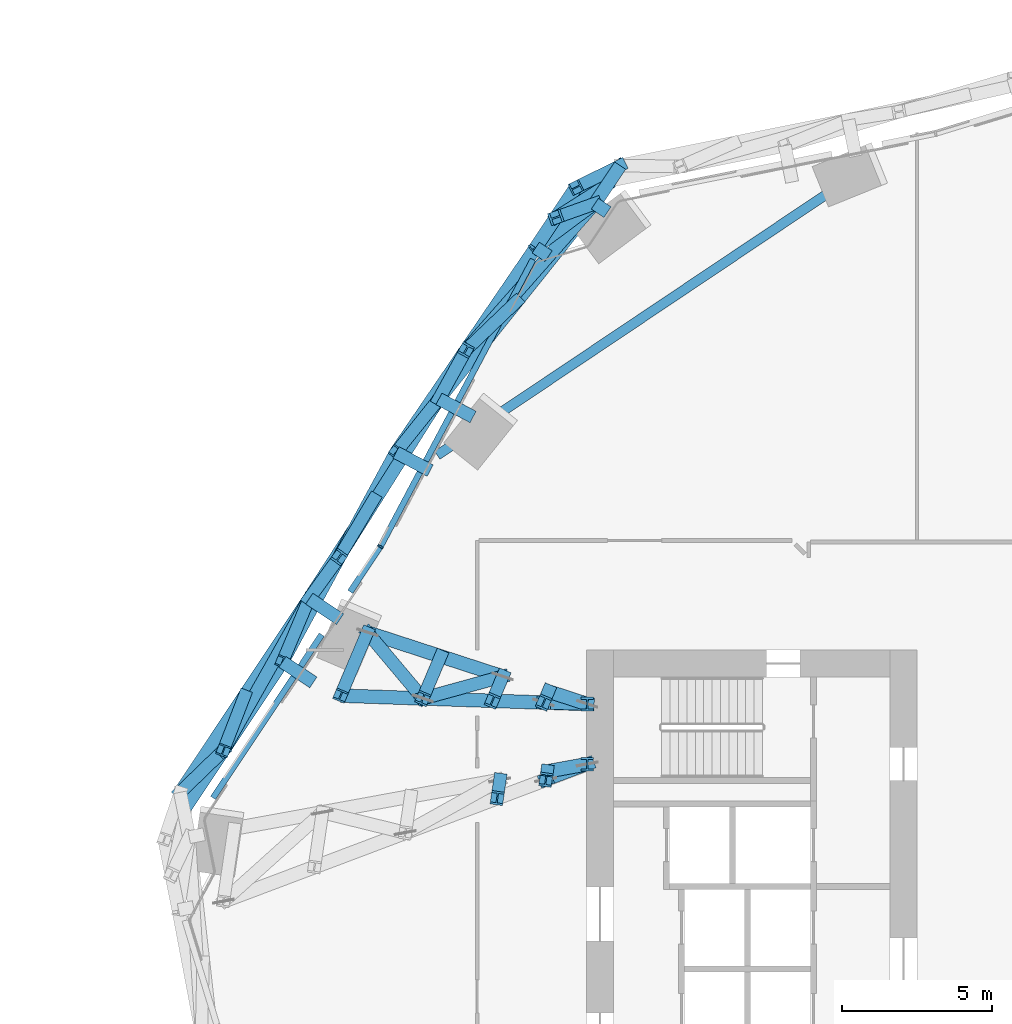
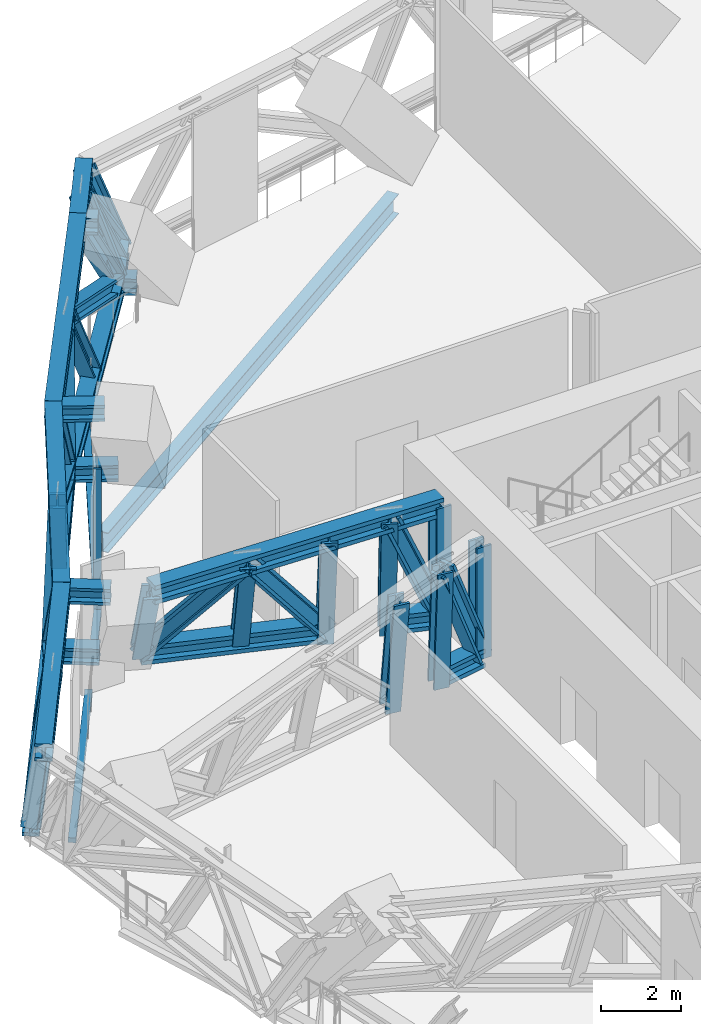
# One storey, part 13 of 34: 50 members, 1 beam, 2 elements without a shape of their own.
"""IFC4 building model written with IfcOpenShell, lengths in metres."""

from ifc_helpers import new_model, si_unit, direction, frame, origin, origin_2d, place, context, subcontext, project, spatial, rectangle, i_section, extrude, material, material_profile, profile_set, type_object, element, aggregate, save


model = new_model("IFC4")

# Units and contexts
model_context = context("Model", 3, precision=1e-05, world=origin(), true_north=direction((0.0, 1.0)))
body_context = subcontext(model_context, "Body", "Model", "MODEL_VIEW")
ifc_project = project(units=[si_unit("LENGTHUNIT", "METRE"), si_unit("AREAUNIT", "SQUARE_METRE"), si_unit("VOLUMEUNIT", "CUBIC_METRE"), si_unit("PLANEANGLEUNIT", "RADIAN"), si_unit("MASSUNIT", "GRAM", prefix="KILO")], contexts=[model_context])

# Site, building, storey
site_placement = place(None, origin())
site = spatial("IfcSite", under=ifc_project, at=site_placement, CompositionType="ELEMENT")
building_placement = place(site_placement, origin())
building = spatial("IfcBuilding", under=site, at=building_placement, Name="Orlundy Tower", CompositionType="ELEMENT")
storey_placement = place(building_placement, frame((0.0, 0.0, 76.300048828125)))
storey = spatial("IfcBuildingStorey", under=building, at=storey_placement, Name="L18", CompositionType="ELEMENT", Elevation=76.300048828125)

# Members
ifc_material_1 = material(Name="Steel ASTM A992 Gr 50", Category="steel")
ifc_material_profile_1 = material_profile(ifc_material_1, i_section(OverallWidth=0.4423828125, OverallDepth=0.531494140625, WebThickness=0.06591796875, FlangeThickness=0.105712890625, at=origin_2d()), Name="W14X605")
ifc_profile_set_1 = profile_set([ifc_material_profile_1], Name="Steel ASTM A992 Gr 50")
member_type_1 = type_object("IfcMemberType", Name="BELT TRUSS chord W14X605", PredefinedType="CHORD", material=ifc_profile_set_1)
member_1_placement = place(storey_placement, frame((-17.884033203125, 28.146484375, 0.28466796875), z_axis=(-0.554367671717, -0.832271881391, 0.0), x_axis=(0.832271881391, -0.554367671717, 0.0)))
element("IfcMember", 1, at=member_1_placement, inside=storey, type_object=member_type_1, Name="Belt truss bottom chord BT-20B", PredefinedType="CHORD", context=body_context, shape_type="SweptSolid", body=[
    extrude(i_section(OverallWidth=0.4423828125, OverallDepth=0.531494140625, WebThickness=0.06591796875, FlangeThickness=0.105712890625, at=origin_2d()), origin(), (0.0, 0.0, 1.0), 1.525146484375),
])
member_2_placement = place(storey_placement, frame((-19.360595703125, 27.41796875, 3.715087890625), z_axis=(-0.554326100972, -0.832299569735, 0.0), x_axis=(0.832299569735, -0.554326100972, 0.0)))
element("IfcMember", 2, at=member_2_placement, inside=storey, type_object=member_type_1, Name="Belt truss top chord BT-20B", PredefinedType="CHORD", context=body_context, shape_type="SweptSolid", body=[
    extrude(i_section(OverallWidth=0.4423828125, OverallDepth=0.531494140625, WebThickness=0.06591796875, FlangeThickness=0.105712890625, at=origin_2d()), origin(), (0.0, 0.0, 1.0), 2.409912109375),
])
member_3_placement = place(storey_placement, frame((-18.7294921875, 26.877197265625, 0.28466796875), z_axis=(-0.623997380433, -0.781426432374, 0.0), x_axis=(0.781426432374, -0.623997380433, 0.0)))
element("IfcMember", 3, at=member_3_placement, inside=storey, type_object=member_type_1, Name="Belt truss bottom chord BT-21A", PredefinedType="CHORD", context=body_context, shape_type="SweptSolid", body=[
    extrude(i_section(OverallWidth=0.4423828125, OverallDepth=0.531494140625, WebThickness=0.06591796875, FlangeThickness=0.105712890625, at=origin_2d()), origin(), (0.0, 0.0, 1.0), 8.32470703125),
])
member_4_placement = place(storey_placement, frame((-20.696533203125, 25.412109375, 3.715087890625), z_axis=(-0.563647579562, -0.826015378824, 0.0), x_axis=(0.826015378824, -0.563647579562, 0.0)))
element("IfcMember", 4, at=member_4_placement, inside=storey, type_object=member_type_1, Name="Belt truss top chord BT-21A", PredefinedType="CHORD", context=body_context, shape_type="SweptSolid", body=[
    extrude(i_section(OverallWidth=0.4423828125, OverallDepth=0.531494140625, WebThickness=0.06591796875, FlangeThickness=0.105712890625, at=origin_2d()), origin(), (0.0, 0.0, 1.0), 8.26318359375),
])
member_5_placement = place(storey_placement, frame((-23.924072265625, 20.3720703125, 0.28466796875), z_axis=(-0.544639154545, -0.838670490322, 0.0), x_axis=(0.838670490322, -0.544639154545, 0.0)))
element("IfcMember", 5, at=member_5_placement, inside=storey, type_object=member_type_1, Name="Belt truss bottom chord BT-22A", PredefinedType="CHORD", context=body_context, shape_type="SweptSolid", body=[
    extrude(i_section(OverallWidth=0.4423828125, OverallDepth=0.531494140625, WebThickness=0.06591796875, FlangeThickness=0.105712890625, at=origin_2d()), origin(), (0.0, 0.0, 1.0), 7.938720703125),
])
member_6_placement = place(storey_placement, frame((-25.35400390625, 18.586669921875, 3.715087890625), z_axis=(-0.476862500782, -0.878977903788, 0.0), x_axis=(0.878977903788, -0.476862500782, 0.0)))
element("IfcMember", 6, at=member_6_placement, inside=storey, type_object=member_type_1, Name="Belt truss top chord BT-22A", PredefinedType="CHORD", context=body_context, shape_type="SweptSolid", body=[
    extrude(i_section(OverallWidth=0.4423828125, OverallDepth=0.531494140625, WebThickness=0.06591796875, FlangeThickness=0.105712890625, at=origin_2d()), origin(), (0.0, 0.0, 1.0), 7.940185546875),
])
member_7_placement = place(storey_placement, frame((-28.247802734375, 13.714111328125, 0.28466796875), z_axis=(-0.554366053127, -0.832272959515, 0.0), x_axis=(0.832272959515, -0.554366053127, 0.0)))
element("IfcMember", 7, at=member_7_placement, inside=storey, type_object=member_type_1, Name="Belt truss bottom chord BT-23A", PredefinedType="CHORD", context=body_context, shape_type="SweptSolid", body=[
    extrude(i_section(OverallWidth=0.4423828125, OverallDepth=0.531494140625, WebThickness=0.06591796875, FlangeThickness=0.105712890625, at=origin_2d()), origin(), (0.0, 0.0, 1.0), 7.757080078125),
])
member_8_placement = place(storey_placement, frame((-29.140380859375, 11.607421875, 3.715087890625), z_axis=(-0.554374867688, -0.832267088185, 0.0), x_axis=(0.832267088185, -0.554374867688, 0.0)))
element("IfcMember", 8, at=member_8_placement, inside=storey, type_object=member_type_1, Name="Belt truss top chord BT-23A", PredefinedType="CHORD", context=body_context, shape_type="SweptSolid", body=[
    extrude(i_section(OverallWidth=0.4423828125, OverallDepth=0.531494140625, WebThickness=0.06591796875, FlangeThickness=0.105712890625, at=origin_2d()), origin(), (0.0, 0.0, 1.0), 7.101318359375),
])
ifc_material_2 = material(Name="Steel ASTM A992 Gr 50", Category="steel")
ifc_material_profile_2 = material_profile(ifc_material_2, i_section(OverallWidth=0.42431640625, OverallDepth=0.47412109375, WebThickness=0.0478515625, FlangeThickness=0.0771484375, at=origin_2d()), Name="W14X426")
ifc_profile_set_2 = profile_set([ifc_material_profile_2], Name="Steel ASTM A992 Gr 50")
member_type_2 = type_object("IfcMemberType", Name="BELT TRUSS diagonal W14X426", PredefinedType="BRACE", material=ifc_profile_set_2)
member_9_placement = place(storey_placement, frame((-17.884033203125, 28.146484375, 0.28466796875), z_axis=(-0.487334340022, -0.393462561411, 0.779546312802), x_axis=(0.628188647758, -0.778061066259, 0.0)))
element("IfcMember", 9, at=member_9_placement, inside=storey, type_object=member_type_2, Name="Belt truss diagonal BT-20B-0", PredefinedType="BRACE", context=body_context, shape_type="SweptSolid", body=[
    extrude(i_section(OverallWidth=0.42431640625, OverallDepth=0.47412109375, WebThickness=0.0478515625, FlangeThickness=0.0771484375, at=origin_2d()), origin(), (0.0, 0.0, 1.0), 4.400634765625),
])
member_10_placement = place(storey_placement, frame((-20.028564453125, 26.4150390625, 3.715087890625), z_axis=(0.351370727538, 0.125003718705, -0.927853804292), x_axis=(-0.335180825904, 0.9421538165, 0.0)))
element("IfcMember", 10, at=member_10_placement, inside=storey, type_object=member_type_2, Name="Belt truss diagonal BT-20B-1", PredefinedType="BRACE", context=body_context, shape_type="SweptSolid", body=[
    extrude(i_section(OverallWidth=0.42431640625, OverallDepth=0.47412109375, WebThickness=0.0478515625, FlangeThickness=0.0771484375, at=origin_2d()), origin(), (0.0, 0.0, 1.0), 3.697265625),
])
member_11_placement = place(storey_placement, frame((-18.7294921875, 26.877197265625, 0.28466796875), z_axis=(-0.584498252238, -0.66369369602, 0.466768112657), x_axis=(0.750462345641, -0.660913207445, 0.0)))
element("IfcMember", 11, at=member_11_placement, inside=storey, type_object=member_type_2, Name="Belt truss diagonal BT-21A-0", PredefinedType="BRACE", context=body_context, shape_type="SweptSolid", body=[
    extrude(i_section(OverallWidth=0.42431640625, OverallDepth=0.47412109375, WebThickness=0.0478515625, FlangeThickness=0.0771484375, at=origin_2d()), origin(), (0.0, 0.0, 1.0), 7.349365234375),
])
member_12_placement = place(storey_placement, frame((-23.025146484375, 21.99951171875, 3.715087890625), z_axis=(-0.230384652582, -0.417095082594, -0.879178368666), x_axis=(0.875343920406, -0.48350079732, 0.0)))
element("IfcMember", 12, at=member_12_placement, inside=storey, type_object=member_type_2, Name="Belt truss diagonal BT-21A-1", PredefinedType="BRACE", context=body_context, shape_type="SweptSolid", body=[
    extrude(i_section(OverallWidth=0.42431640625, OverallDepth=0.47412109375, WebThickness=0.0478515625, FlangeThickness=0.0771484375, at=origin_2d()), origin(), (0.0, 0.0, 1.0), 3.90185546875),
])
member_13_placement = place(storey_placement, frame((-23.924072265625, 20.3720703125, 0.28466796875), z_axis=(-0.467015128556, -0.741281873904, 0.48207681247), x_axis=(0.846087632588, -0.533043823697, 0.0)))
element("IfcMember", 13, at=member_13_placement, inside=storey, type_object=member_type_2, Name="Belt truss diagonal BT-22A-0", PredefinedType="BRACE", context=body_context, shape_type="SweptSolid", body=[
    extrude(i_section(OverallWidth=0.42431640625, OverallDepth=0.47412109375, WebThickness=0.0478515625, FlangeThickness=0.0771484375, at=origin_2d()), origin(), (0.0, 0.0, 1.0), 7.115966796875),
])
member_14_placement = place(storey_placement, frame((-27.247314453125, 15.09716796875, 3.715087890625), z_axis=(-0.261111057299, -0.360955134114, -0.895283422673), x_axis=(0.81023019121, -0.586111795865, 0.0)))
element("IfcMember", 14, at=member_14_placement, inside=storey, type_object=member_type_2, Name="Belt truss diagonal BT-22A-1", PredefinedType="BRACE", context=body_context, shape_type="SweptSolid", body=[
    extrude(i_section(OverallWidth=0.42431640625, OverallDepth=0.47412109375, WebThickness=0.0478515625, FlangeThickness=0.0771484375, at=origin_2d()), origin(), (0.0, 0.0, 1.0), 3.83154296875),
])
member_15_placement = place(storey_placement, frame((-28.247802734375, 13.714111328125, 0.28466796875), z_axis=(-0.423805821318, -0.749788044491, 0.508140250477), x_axis=(0.870556582419, -0.492068325344, 0.0)))
element("IfcMember", 15, at=member_15_placement, inside=storey, type_object=member_type_2, Name="Belt truss diagonal BT-23A-0", PredefinedType="BRACE", context=body_context, shape_type="SweptSolid", body=[
    extrude(i_section(OverallWidth=0.42431640625, OverallDepth=0.47412109375, WebThickness=0.0478515625, FlangeThickness=0.0771484375, at=origin_2d()), origin(), (0.0, 0.0, 1.0), 6.7509765625),
])
member_16_placement = place(storey_placement, frame((-31.10888671875, 8.65234375, 3.715087890625), z_axis=(-0.362265652021, -0.350958293247, -0.863476620278), x_axis=(0.695808964518, -0.71822690349, 0.0)))
element("IfcMember", 16, at=member_16_placement, inside=storey, type_object=member_type_2, Name="Belt truss diagonal BT-23A-1", PredefinedType="BRACE", context=body_context, shape_type="SweptSolid", body=[
    extrude(i_section(OverallWidth=0.42431640625, OverallDepth=0.47412109375, WebThickness=0.0478515625, FlangeThickness=0.0771484375, at=origin_2d()), origin(), (0.0, 0.0, 1.0), 3.972900390625),
])
ifc_material_3 = material(Name="Steel ASTM A992 Gr 50", Category="steel")
ifc_material_profile_3 = material_profile(ifc_material_3, i_section(OverallWidth=0.412109375, OverallDepth=0.434814453125, WebThickness=0.035888671875, FlangeThickness=0.057373046875, at=origin_2d()), Name="W14X311")
ifc_profile_set_3 = profile_set([ifc_material_profile_3], Name="Steel ASTM A992 Gr 50")
member_type_3 = type_object("IfcMemberType", Name="BELT TRUSS post W14X311", PredefinedType="POST", material=ifc_profile_set_3)
member_17_placement = place(storey_placement, frame((-17.884033203125, 28.146484375, 0.28466796875), z_axis=(-0.388048724052, -0.191457902211, 0.901533171571), x_axis=(0.4424623975, -0.896787057667, 0.0)))
element("IfcMember", 17, at=member_17_placement, inside=storey, type_object=member_type_3, Name="Belt truss post BT-20A-2", PredefinedType="POST", context=body_context, shape_type="SweptSolid", body=[
    extrude(i_section(OverallWidth=0.412109375, OverallDepth=0.434814453125, WebThickness=0.035888671875, FlangeThickness=0.057373046875, at=origin_2d()), origin(), (0.0, 0.0, 1.0), 3.80517578125),
])
member_18_placement = place(storey_placement, frame((-18.306640625, 27.51171875, 0.28466796875), z_axis=(-0.431351157714, -0.274724145818, 0.859338595923), x_axis=(0.537192716181, -0.843459534111, 0.0)))
element("IfcMember", 18, at=member_18_placement, inside=storey, type_object=member_type_3, Name="Belt truss post BT-20B-1", PredefinedType="POST", context=body_context, shape_type="SweptSolid", body=[
    extrude(i_section(OverallWidth=0.412109375, OverallDepth=0.434814453125, WebThickness=0.035888671875, FlangeThickness=0.057373046875, at=origin_2d()), origin(), (0.0, 0.0, 1.0), 3.991943359375),
])
member_19_placement = place(storey_placement, frame((-18.7294921875, 26.877197265625, 0.28466796875), z_axis=(-0.466449496325, -0.347420060499, 0.813464300963), x_axis=(0.597336986627, -0.801990351817, 0.0)))
element("IfcMember", 19, at=member_19_placement, inside=storey, type_object=member_type_3, Name="Belt truss post BT-20B-2", PredefinedType="POST", context=body_context, shape_type="SweptSolid", body=[
    extrude(i_section(OverallWidth=0.412109375, OverallDepth=0.434814453125, WebThickness=0.035888671875, FlangeThickness=0.057373046875, at=origin_2d()), origin(), (0.0, 0.0, 1.0), 4.217041015625),
])
member_20_placement = place(storey_placement, frame((-21.32666015625, 23.624755859375, 0.28466796875), z_axis=(-0.408426239214, -0.390814068484, 0.824895369727), x_axis=(0.691357039523, -0.722513282855, 0.0)))
element("IfcMember", 20, at=member_20_placement, inside=storey, type_object=member_type_3, Name="Belt truss post BT-21A-1", PredefinedType="POST", context=body_context, shape_type="SweptSolid", body=[
    extrude(i_section(OverallWidth=0.412109375, OverallDepth=0.434814453125, WebThickness=0.035888671875, FlangeThickness=0.057373046875, at=origin_2d()), origin(), (0.0, 0.0, 1.0), 4.15869140625),
])
member_21_placement = place(storey_placement, frame((-23.924072265625, 20.3720703125, 0.28466796875), z_axis=(-0.346807937289, -0.433021418029, 0.831995616672), x_axis=(0.780525068996, -0.625124480939, 0.0)))
element("IfcMember", 21, at=member_21_placement, inside=storey, type_object=member_type_3, Name="Belt truss post BT-21A-2", PredefinedType="POST", context=body_context, shape_type="SweptSolid", body=[
    extrude(i_section(OverallWidth=0.412109375, OverallDepth=0.434814453125, WebThickness=0.035888671875, FlangeThickness=0.057373046875, at=origin_2d()), origin(), (0.0, 0.0, 1.0), 4.123046875),
])
member_22_placement = place(storey_placement, frame((-26.0859375, 17.043212890625, 0.28466796875), z_axis=(-0.282476761118, -0.473328203252, 0.83436640119), x_axis=(0.858707231057, -0.512466478251, 0.0)))
element("IfcMember", 22, at=member_22_placement, inside=storey, type_object=member_type_3, Name="Belt truss post BT-22A-1", PredefinedType="POST", context=body_context, shape_type="SweptSolid", body=[
    extrude(i_section(OverallWidth=0.412109375, OverallDepth=0.434814453125, WebThickness=0.035888671875, FlangeThickness=0.057373046875, at=origin_2d()), origin(), (0.0, 0.0, 1.0), 4.111328125),
])
member_23_placement = place(storey_placement, frame((-28.247802734375, 13.714111328125, 0.28466796875), z_axis=(-0.216465332608, -0.510907919878, 0.831935007789), x_axis=(0.920765363708, -0.390116835058, 0.0)))
element("IfcMember", 23, at=member_23_placement, inside=storey, type_object=member_type_3, Name="Belt truss post BT-22A-2", PredefinedType="POST", context=body_context, shape_type="SweptSolid", body=[
    extrude(i_section(OverallWidth=0.412109375, OverallDepth=0.434814453125, WebThickness=0.035888671875, FlangeThickness=0.057373046875, at=origin_2d()), origin(), (0.0, 0.0, 1.0), 4.12353515625),
])
member_24_placement = place(storey_placement, frame((-30.39794921875, 10.486083984375, 0.28466796875), z_axis=(-0.179792323162, -0.463743179694, 0.867535004377), x_axis=(0.932379240436, -0.36148160673, 0.0)))
element("IfcMember", 24, at=member_24_placement, inside=storey, type_object=member_type_3, Name="Belt truss post BT-23A-1", PredefinedType="POST", context=body_context, shape_type="SweptSolid", body=[
    extrude(i_section(OverallWidth=0.412109375, OverallDepth=0.434814453125, WebThickness=0.035888671875, FlangeThickness=0.057373046875, at=origin_2d()), origin(), (0.0, 0.0, 1.0), 3.9541015625),
])
ifc_material_4 = material(Name="Steel ASTM A992 Gr 50", Category="steel")
ifc_material_profile_4 = material_profile(ifc_material_4, i_section(OverallWidth=0.43212890625, OverallDepth=0.497802734375, WebThickness=0.0556640625, FlangeThickness=0.0888671875, at=origin_2d()), Name="W14X500")
ifc_profile_set_4 = profile_set([ifc_material_profile_4], Name="Steel ASTM A992 Gr 50")
member_type_4 = type_object("IfcMemberType", Name="BELT TRUSS strut W14X500", PredefinedType="STRUT", material=ifc_profile_set_4)
for number, where, z_axis, x_axis, name in (
    (25, (-18.3037109375, 26.59375, 0.28466796875), (-0.832417268595, 0.55414933993, 0.0), (-0.55414933993, -0.832417268595, 0.0), "Belt truss bracket C-H19"),
    (26, (-20.270751953125, 25.128662109375, 3.715087890625), (-0.832417268595, 0.55414933993, 0.0), (-0.55414933993, -0.832417268595, 0.0), "Belt truss bracket C-H19"),
):
    element("IfcMember", number, at=place(storey_placement, frame(where, z_axis=z_axis, x_axis=x_axis)), inside=storey, type_object=member_type_4, Name=name, PredefinedType="STRUT", context=body_context, shape_type="SweptSolid", body=[
        extrude(i_section(OverallWidth=0.43212890625, OverallDepth=0.497802734375, WebThickness=0.0556640625, FlangeThickness=0.0888671875, at=origin_2d()), origin(), (0.0, 0.0, 1.0), 0.511474609375),
    ])
for number, where, z_axis, x_axis, name in (
    (27, (-22.785888671875, 19.76708984375, 0.28466796875), (-0.883012700324, 0.469349092965, 0.0), (-0.469349092965, -0.883012700324, 0.0), "Belt truss bracket C-H18"),
    (28, (-24.2158203125, 17.981689453125, 3.715087890625), (-0.883012700324, 0.469349092965, 0.0), (-0.469349092965, -0.883012700324, 0.0), "Belt truss bracket C-H18"),
):
    element("IfcMember", number, at=place(storey_placement, frame(where, z_axis=z_axis, x_axis=x_axis)), inside=storey, type_object=member_type_4, Name=name, PredefinedType="STRUT", context=body_context, shape_type="SweptSolid", body=[
        extrude(i_section(OverallWidth=0.43212890625, OverallDepth=0.497802734375, WebThickness=0.0556640625, FlangeThickness=0.0888671875, at=origin_2d()), origin(), (0.0, 0.0, 1.0), 1.2890625),
    ])
for number, where, z_axis, x_axis, name in (
    (29, (-27.215576171875, 13.026611328125, 0.28466796875), (-0.832292495008, 0.55433672326, 0.0), (-0.55433672326, -0.832292495008, 0.0), "Belt truss bracket C-H17"),
    (30, (-28.108154296875, 10.919921875, 3.715087890625), (-0.832292495008, 0.55433672326, 0.0), (-0.55433672326, -0.832292495008, 0.0), "Belt truss bracket C-H17"),
):
    element("IfcMember", number, at=place(storey_placement, frame(where, z_axis=z_axis, x_axis=x_axis)), inside=storey, type_object=member_type_4, Name=name, PredefinedType="STRUT", context=body_context, shape_type="SweptSolid", body=[
        extrude(i_section(OverallWidth=0.43212890625, OverallDepth=0.497802734375, WebThickness=0.0556640625, FlangeThickness=0.0888671875, at=origin_2d()), origin(), (0.0, 0.0, 1.0), 1.240234375),
    ])

# Beam
ifc_material_5 = material(Name="Steel ASTM A992 Gr 50", Category="steel")
ifc_material_profile_5 = material_profile(ifc_material_5, i_section(OverallWidth=0.32373046875, OverallDepth=0.611083984375, WebThickness=0.0126953125, FlangeThickness=0.01904296875, at=origin_2d()), Name="W24X104")
ifc_profile_set_5 = profile_set([ifc_material_profile_5], Name="Steel ASTM A992 Gr 50")
beam_type = type_object("IfcBeamType", Name="CANTILEVER GIRDER beam W24X104", PredefinedType="BEAM", material=ifc_profile_set_5)
beam_placement = place(storey_placement, frame((-23.982666015625, 18.494873046875, -0.755615234375), z_axis=(0.830671343597, 0.556763072524, 0.0), x_axis=(-0.556763072524, 0.830671343597, 0.0)))
element("IfcBeam", 31, at=beam_placement, inside=storey, type_object=beam_type, Name="Cantilever girder C-H18 L18", PredefinedType="BEAM", context=body_context, shape_type="SweptSolid", body=[
    extrude(i_section(OverallWidth=0.32373046875, OverallDepth=0.611083984375, WebThickness=0.0126953125, FlangeThickness=0.01904296875, at=origin_2d()), origin(), (0.0, 0.0, 1.0), 16.564453125),
])

# Curtain wall, member
ifc_material_6 = material(Name="Aluminium bronze anodised", Category="aluminium")
curtain_wall_type = type_object("IfcCurtainWallType", Name="CW4 wall", PredefinedType="NOTDEFINED", material=ifc_material_6)
curtain_wall_1_placement = place(storey_placement, origin())
curtain_wall_1 = element("IfcCurtainWall", 32, at=curtain_wall_1_placement, inside=storey, type_object=curtain_wall_type, Name="CW4 run 03", PredefinedType="NOTDEFINED")
ifc_material_7 = material(Name="Aluminium bronze anodised", Category="aluminium")
ifc_material_profile_6 = material_profile(ifc_material_7, rectangle(XDim=0.199951171875, YDim=0.06005859375, at=origin_2d()), Name="CW4 mullion 60x200")
ifc_profile_set_6 = profile_set([ifc_material_profile_6], Name="Aluminium bronze anodised")
member_type_5 = type_object("IfcMemberType", Name="CW4 mullion 60x200", PredefinedType="MULLION", material=ifc_profile_set_6)
member_25_placement = place(storey_placement, frame((-25.8759765625, 15.4482421875, -0.449951171875), z_axis=(0.0, 0.0, 1.0), x_axis=(-0.858670775085, 0.512527560249, 0.0)))
member_25 = element("IfcMember", 33, at=member_25_placement, type_object=member_type_5, Name="CW4 mullion 5", PredefinedType="MULLION", context=body_context, shape_type="SweptSolid", body=[
    extrude(rectangle(XDim=0.199951171875, YDim=0.06005859375, at=origin_2d()), origin(), (0.0, 0.0, 1.0), 4.449951171875),
])

# Curtain wall, members
curtain_wall_2_placement = place(storey_placement, origin())
curtain_wall_2 = element("IfcCurtainWall", 34, at=curtain_wall_2_placement, inside=storey, type_object=curtain_wall_type, Name="CW4 run 02", PredefinedType="NOTDEFINED")
ifc_material_8 = material(Name="Aluminium bronze anodised", Category="aluminium")
ifc_material_profile_7 = material_profile(ifc_material_8, rectangle(XDim=0.199951171875, YDim=0.14990234375, at=origin_2d()), Name="CW4 transom 200x150")
ifc_profile_set_7 = profile_set([ifc_material_profile_7], Name="Aluminium bronze anodised")
member_type_6 = type_object("IfcMemberType", Name="CW4 transom 200x150", PredefinedType="USERDEFINED", material=ifc_profile_set_7)
member_26_placement = place(storey_placement, frame((-31.453369140625, 7.075439453125, -0.375), z_axis=(0.55440699812, 0.832245685141, 0.0), x_axis=(-0.832245685141, 0.55440699812, 0.0)))
member_26 = element("IfcMember", 35, at=member_26_placement, type_object=member_type_6, Name="CW4 transom", ObjectType="TRANSOM", PredefinedType="USERDEFINED", context=body_context, shape_type="SweptSolid", body=[
    extrude(rectangle(XDim=0.199951171875, YDim=0.14990234375, at=origin_2d()), origin(), (0.0, 0.0, 1.0), 6.5341796875),
])
member_27_placement = place(storey_placement, frame((-26.87939453125, 13.941650390625, -0.375), z_axis=(0.554320365805, 0.832303389428, 0.0), x_axis=(-0.832303389428, 0.554320365805, 0.0)))
member_27 = element("IfcMember", 36, at=member_27_placement, type_object=member_type_6, Name="CW4 transom", ObjectType="TRANSOM", PredefinedType="USERDEFINED", context=body_context, shape_type="SweptSolid", body=[
    extrude(rectangle(XDim=0.199951171875, YDim=0.14990234375, at=origin_2d()), origin(), (0.0, 0.0, 1.0), 1.7802734375),
])
aggregate(curtain_wall_2, [member_26, member_27])

# Member
member_28_placement = place(storey_placement, frame((-25.86181640625, 15.474853515625, -0.375), z_axis=(0.469409092399, 0.882980806118, 0.0), x_axis=(-0.882980806118, 0.469409092399, 0.0)))
member_28 = element("IfcMember", 37, at=member_28_placement, type_object=member_type_6, Name="CW4 transom", ObjectType="TRANSOM", PredefinedType="USERDEFINED", context=body_context, shape_type="SweptSolid", body=[
    extrude(rectangle(XDim=0.199951171875, YDim=0.14990234375, at=origin_2d()), origin(), (0.0, 0.0, 1.0), 10.80419921875),
])

aggregate(curtain_wall_1, [member_25, member_28])

# Members
ifc_material_9 = material(Name="Steel ASTM A992 Gr 50", Category="steel")
ifc_material_profile_8 = material_profile(ifc_material_9, i_section(OverallWidth=0.454345703125, OverallDepth=0.569580078125, WebThickness=0.077880859375, FlangeThickness=0.124755859375, at=origin_2d()), Name="W14X730")
ifc_profile_set_8 = profile_set([ifc_material_profile_8], Name="Steel ASTM A992 Gr 50")
member_type_7 = type_object("IfcMemberType", Name="OUTRIGGER TRUSS chord W14X730", PredefinedType="CHORD", material=ifc_profile_set_8)
member_29_placement = place(storey_placement, frame((-18.97998046875, 8.199951171875, 0.28466796875), z_axis=(-0.983769370556, -0.179437525497, 0.0), x_axis=(0.179437525497, -0.983769370556, 0.0)))
element("IfcMember", 38, at=member_29_placement, inside=storey, type_object=member_type_7, Name="Outrigger truss bottom chord OR-W-C-H16", PredefinedType="CHORD", context=body_context, shape_type="SweptSolid", body=[
    extrude(i_section(OverallWidth=0.454345703125, OverallDepth=0.569580078125, WebThickness=0.077880859375, FlangeThickness=0.124755859375, at=origin_2d()), origin(), (0.0, 0.0, 1.0), 1.362060546875),
])
member_30_placement = place(storey_placement, frame((-18.97998046875, 10.199951171875, 0.28466796875), z_axis=(-0.950807739771, 0.309781603703, 0.0), x_axis=(-0.309781603703, -0.950807739771, 0.0)))
element("IfcMember", 39, at=member_30_placement, inside=storey, type_object=member_type_7, Name="Outrigger truss bottom chord OR-W-C-H17", PredefinedType="CHORD", context=body_context, shape_type="SweptSolid", body=[
    extrude(i_section(OverallWidth=0.454345703125, OverallDepth=0.569580078125, WebThickness=0.077880859375, FlangeThickness=0.124755859375, at=origin_2d()), origin(), (0.0, 0.0, 1.0), 1.364990234375),
])
member_31_placement = place(storey_placement, frame((-21.79931640625, 11.118408203125, 0.28466796875), z_axis=(-0.950827387532, 0.309721292648, 0.0), x_axis=(-0.309721292648, -0.950827387532, 0.0)))
element("IfcMember", 40, at=member_31_placement, inside=storey, type_object=member_type_7, Name="Outrigger truss bottom chord OR-W-C-H172", PredefinedType="CHORD", context=body_context, shape_type="SweptSolid", body=[
    extrude(i_section(OverallWidth=0.454345703125, OverallDepth=0.569580078125, WebThickness=0.077880859375, FlangeThickness=0.124755859375, at=origin_2d()), origin(), (0.0, 0.0, 1.0), 4.74462890625),
])
member_32_placement = place(storey_placement, frame((-18.97998046875, 10.199951171875, 3.715087890625), z_axis=(-0.99941565056, 0.034181243638, 0.0), x_axis=(-0.034181243638, -0.99941565056, 0.0)))
element("IfcMember", 41, at=member_32_placement, inside=storey, type_object=member_type_7, Name="Outrigger truss top chord OR-W-C-H17", PredefinedType="CHORD", context=body_context, shape_type="SweptSolid", body=[
    extrude(i_section(OverallWidth=0.454345703125, OverallDepth=0.569580078125, WebThickness=0.077880859375, FlangeThickness=0.124755859375, at=origin_2d()), origin(), (0.0, 0.0, 1.0), 8.228271484375),
])
ifc_material_10 = material(Name="Steel ASTM A992 Gr 50", Category="steel")
ifc_material_profile_9 = material_profile(ifc_material_10, i_section(OverallWidth=0.43212890625, OverallDepth=0.497802734375, WebThickness=0.0556640625, FlangeThickness=0.0888671875, at=origin_2d()), Name="W14X500")
ifc_profile_set_9 = profile_set([ifc_material_profile_9], Name="Steel ASTM A992 Gr 50")
member_type_8 = type_object("IfcMemberType", Name="OUTRIGGER TRUSS diagonal W14X500", PredefinedType="BRACE", material=ifc_profile_set_9)
member_33_placement = place(storey_placement, frame((-18.97998046875, 8.199951171875, 0.28466796875), z_axis=(-0.369654612968, -0.139454066052, 0.918644670465), x_axis=(0.352972524755, -0.935633687277, 0.0)))
element("IfcMember", 42, at=member_33_placement, inside=storey, type_object=member_type_8, Name="Outrigger truss diagonal OR-W-C-H16-0", PredefinedType="BRACE", context=body_context, shape_type="SweptSolid", body=[
    extrude(i_section(OverallWidth=0.43212890625, OverallDepth=0.497802734375, WebThickness=0.0556640625, FlangeThickness=0.0888671875, at=origin_2d()), origin(), (0.0, 0.0, 1.0), 3.734130859375),
])
member_34_placement = place(storey_placement, frame((-18.97998046875, 10.199951171875, 0.28466796875), z_axis=(-0.390624318989, 0.013363635934, 0.920453178955), x_axis=(-0.034190965098, -0.999415318026, 0.0)))
element("IfcMember", 43, at=member_34_placement, inside=storey, type_object=member_type_8, Name="Outrigger truss diagonal OR-W-C-H17-0", PredefinedType="BRACE", context=body_context, shape_type="SweptSolid", body=[
    extrude(i_section(OverallWidth=0.43212890625, OverallDepth=0.497802734375, WebThickness=0.0556640625, FlangeThickness=0.0888671875, at=origin_2d()), origin(), (0.0, 0.0, 1.0), 3.726806640625),
])
member_35_placement = place(storey_placement, frame((-21.79931640625, 11.118408203125, 0.28466796875), z_axis=(-0.604679220829, -0.165986026145, 0.778981180147), x_axis=(0.264710533299, -0.964327918066, 0.0)))
element("IfcMember", 44, at=member_35_placement, inside=storey, type_object=member_type_8, Name="Outrigger truss diagonal OR-W-C-H17-2", PredefinedType="BRACE", context=body_context, shape_type="SweptSolid", body=[
    extrude(i_section(OverallWidth=0.43212890625, OverallDepth=0.497802734375, WebThickness=0.0556640625, FlangeThickness=0.0888671875, at=origin_2d()), origin(), (0.0, 0.0, 1.0), 4.40380859375),
])
member_36_placement = place(storey_placement, frame((-24.462158203125, 10.387451171875, 3.715087890625), z_axis=(-0.413041247688, 0.491710575276, -0.766562220482), x_axis=(-0.765701517575, -0.643196071182, 0.0)))
element("IfcMember", 45, at=member_36_placement, inside=storey, type_object=member_type_8, Name="Outrigger truss diagonal OR-W-C-H17-3", PredefinedType="BRACE", context=body_context, shape_type="SweptSolid", body=[
    extrude(i_section(OverallWidth=0.43212890625, OverallDepth=0.497802734375, WebThickness=0.0556640625, FlangeThickness=0.0888671875, at=origin_2d()), origin(), (0.0, 0.0, 1.0), 4.47509765625),
])
ifc_material_11 = material(Name="Steel ASTM A992 Gr 50", Category="steel")
ifc_material_profile_10 = material_profile(ifc_material_11, i_section(OverallWidth=0.41845703125, OverallDepth=0.455078125, WebThickness=0.0419921875, FlangeThickness=0.067626953125, at=origin_2d()), Name="W14X370")
ifc_profile_set_10 = profile_set([ifc_material_profile_10], Name="Steel ASTM A992 Gr 50")
member_type_9 = type_object("IfcMemberType", Name="OUTRIGGER TRUSS post W14X370", PredefinedType="POST", material=ifc_profile_set_10)
member_37_placement = place(storey_placement, frame((-18.97998046875, 8.199951171875, 0.28466796875), z_axis=(0.0, 0.0, 1.0), x_axis=(1.0, 0.0, 0.0)))
element("IfcMember", 46, at=member_37_placement, inside=storey, type_object=member_type_9, Name="Outrigger truss post OR-W-C-H16-0", PredefinedType="POST", context=body_context, shape_type="SweptSolid", body=[
    extrude(i_section(OverallWidth=0.41845703125, OverallDepth=0.455078125, WebThickness=0.0419921875, FlangeThickness=0.067626953125, at=origin_2d()), origin(), (0.0, 0.0, 1.0), 3.430419921875),
])
member_38_placement = place(storey_placement, frame((-20.31982421875, 7.95556640625, 0.0), z_axis=(-0.010878148473, -0.074181108861, 0.997185453651), x_axis=(0.989418260518, -0.145091370359, 0.0)))
element("IfcMember", 47, at=member_38_placement, inside=storey, type_object=member_type_9, Name="Outrigger truss post OR-W-C-H16-1", PredefinedType="POST", context=body_context, shape_type="SweptSolid", body=[
    extrude(i_section(OverallWidth=0.41845703125, OverallDepth=0.455078125, WebThickness=0.0419921875, FlangeThickness=0.067626953125, at=origin_2d()), origin(), (0.0, 0.0, 1.0), 3.7255859375),
])
member_39_placement = place(storey_placement, frame((-21.893798828125, 7.66845703125, 0.0), z_axis=(-0.023412510534, -0.159672024753, 0.986892445438), x_axis=(0.989420299001, -0.1450774687, 0.0)))
element("IfcMember", 48, at=member_39_placement, inside=storey, type_object=member_type_9, Name="Outrigger truss post OR-W-C-H16-2", PredefinedType="POST", context=body_context, shape_type="SweptSolid", body=[
    extrude(i_section(OverallWidth=0.41845703125, OverallDepth=0.455078125, WebThickness=0.0419921875, FlangeThickness=0.067626953125, at=origin_2d()), origin(), (0.0, 0.0, 1.0), 3.764404296875),
])
member_40_placement = place(storey_placement, frame((-18.97998046875, 10.199951171875, 0.28466796875), z_axis=(0.0, 0.0, 1.0), x_axis=(1.0, 0.0, 0.0)))
element("IfcMember", 49, at=member_40_placement, inside=storey, type_object=member_type_9, Name="Outrigger truss post OR-W-C-H17-0", PredefinedType="POST", context=body_context, shape_type="SweptSolid", body=[
    extrude(i_section(OverallWidth=0.41845703125, OverallDepth=0.455078125, WebThickness=0.0419921875, FlangeThickness=0.067626953125, at=origin_2d()), origin(), (0.0, 0.0, 1.0), 3.430419921875),
])
member_41_placement = place(storey_placement, frame((-20.27783203125, 10.622802734375, 0.0), z_axis=(-0.042267681085, -0.099822282377, 0.994107114488), x_axis=(0.920850762942, -0.389915211795, 0.0)))
element("IfcMember", 50, at=member_41_placement, inside=storey, type_object=member_type_9, Name="Outrigger truss post OR-W-C-H17-1", PredefinedType="POST", context=body_context, shape_type="SweptSolid", body=[
    extrude(i_section(OverallWidth=0.41845703125, OverallDepth=0.455078125, WebThickness=0.0419921875, FlangeThickness=0.067626953125, at=origin_2d()), origin(), (0.0, 0.0, 1.0), 3.737060546875),
])
member_42_placement = place(storey_placement, frame((-21.79931640625, 11.118408203125, 0.0), z_axis=(-0.08990870988, -0.212238270335, 0.973073142417), x_axis=(0.920787189416, -0.39006531736, 0.0)))
element("IfcMember", 51, at=member_42_placement, inside=storey, type_object=member_type_9, Name="Outrigger truss post OR-W-C-H17-2", PredefinedType="POST", context=body_context, shape_type="SweptSolid", body=[
    extrude(i_section(OverallWidth=0.41845703125, OverallDepth=0.455078125, WebThickness=0.0419921875, FlangeThickness=0.067626953125, at=origin_2d()), origin(), (0.0, 0.0, 1.0), 3.81787109375),
])
member_43_placement = place(storey_placement, frame((-23.866943359375, 11.7919921875, 0.28466796875), z_axis=(-0.15854200289, -0.374114906737, 0.913729976457), x_axis=(0.920735154124, -0.390188128933, 0.0)))
element("IfcMember", 52, at=member_43_placement, inside=storey, type_object=member_type_9, Name="Outrigger truss post OR-W-C-H17-3", PredefinedType="POST", context=body_context, shape_type="SweptSolid", body=[
    extrude(i_section(OverallWidth=0.41845703125, OverallDepth=0.455078125, WebThickness=0.0419921875, FlangeThickness=0.067626953125, at=origin_2d()), origin(), (0.0, 0.0, 1.0), 3.75439453125),
])
member_44_placement = place(storey_placement, frame((-26.310546875, 12.587890625, 0.28466796875), z_axis=(-0.21652176543, -0.510901371041, 0.831924344014), x_axis=(0.920727031447, -0.390207295631, 0.0)))
element("IfcMember", 53, at=member_44_placement, inside=storey, type_object=member_type_9, Name="Outrigger truss post OR-W-C-H17-4", PredefinedType="POST", context=body_context, shape_type="SweptSolid", body=[
    extrude(i_section(OverallWidth=0.41845703125, OverallDepth=0.455078125, WebThickness=0.0419921875, FlangeThickness=0.067626953125, at=origin_2d()), origin(), (0.0, 0.0, 1.0), 4.12353515625),
])

save(model, "model.ifc")
